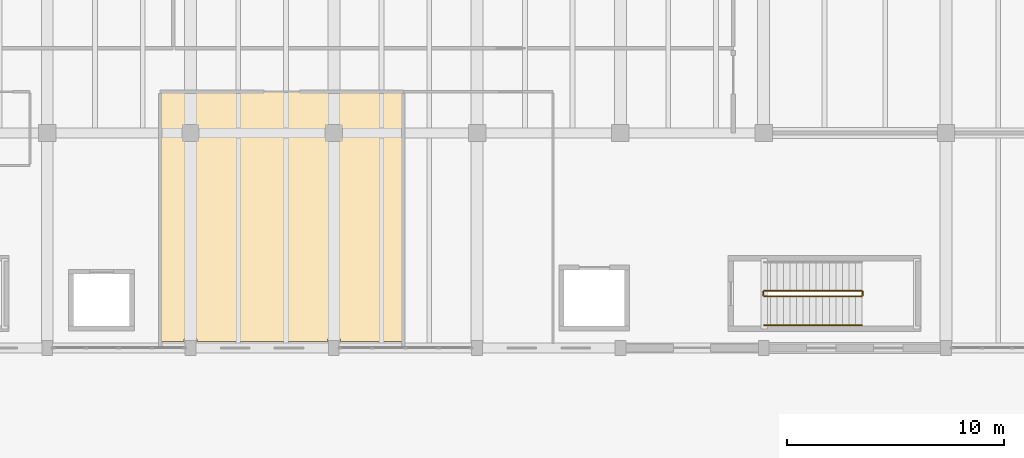
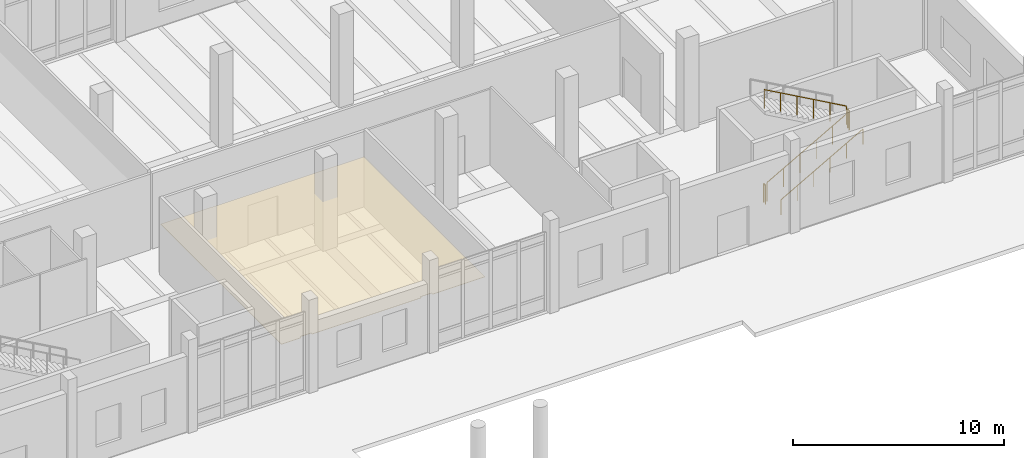
# One storey, part 70 of 72: 5 railings, 1 covering.
"""IFC4 building model written with IfcOpenShell, lengths in metres."""

import ifcopenshell
import ifcopenshell.guid

model = None  # the IFC model being written
_history = None  # IfcOwnerHistory: only IFC2X3 demands one
_inside = {}  # id of a spatial element -> (the spatial element, [elements in it])
_under = {}  # id of a project, library or spatial element -> (it, [spatial elements below it])
_declared = {}  # id of a project -> (the project, [libraries it declares])
_typed = {}  # id of a type object -> (the type object, [elements of that type])
_made_of = {}  # id of a material, layer set ... -> (it, [elements and type objects made of it])


def new_model(schema):
    """Start an empty IFC model of exactly this schema.

    Asked for "IFC4X3", IfcOpenShell would pick the latest addendum, in which some entities
    have other attributes; the version numbers below select the first issue.
    IFC2X3 requires an IfcOwnerHistory on every rooted entity: one is made here for all.
    """
    global model, _history
    if schema == "IFC4X3":
        model = ifcopenshell.file(schema_version=(4, 3, 0, 0))
    else:
        model = ifcopenshell.file(schema=schema)
    _inside.clear()
    _under.clear()
    _declared.clear()
    _typed.clear()
    _made_of.clear()
    _history = None
    if model.schema == "IFC2X3":
        org = make("IfcOrganization", Name="unknown")
        user = make(
            "IfcPersonAndOrganization",
            ThePerson=make("IfcPerson", FamilyName="unknown"),
            TheOrganization=org,
        )
        app = make(
            "IfcApplication",
            ApplicationDeveloper=org,
            Version="unknown",
            ApplicationFullName="unknown",
            ApplicationIdentifier="unknown",
        )
        _history = make(
            "IfcOwnerHistory",
            OwningUser=user,
            OwningApplication=app,
            ChangeAction="ADDED",
            CreationDate=0,
        )
    return model


def make(cls, **values):
    """One entity of the class cls with the attributes given. An attribute that is None is left unset."""
    return model.create_entity(
        cls, **{name: value for name, value in values.items() if value is not None}
    )


def rooted(cls, **values):
    """An entity with a GlobalId (a new one), such as an element, a storey or a relation."""
    return make(cls, GlobalId=ifcopenshell.guid.new(), OwnerHistory=_history, **values)


def si_unit(unit_type, name, prefix=None):
    """IfcSIUnit, for example si_unit("LENGTHUNIT", "METRE", prefix="MILLI")."""
    return make("IfcSIUnit", UnitType=unit_type, Prefix=prefix, Name=name)


def assignment(units):
    """IfcUnitAssignment: the units of a project."""
    return None if units is None else make("IfcUnitAssignment", Units=units)


def point(xyz):
    """IfcCartesianPoint."""
    return None if xyz is None else make("IfcCartesianPoint", Coordinates=xyz)


def direction(xyz):
    """IfcDirection."""
    return None if xyz is None else make("IfcDirection", DirectionRatios=xyz)


def frame(location, z_axis=None, x_axis=None):
    """IfcAxis2Placement3D, a coordinate frame: its origin and axes. An axis left out is left unset."""
    return make(
        "IfcAxis2Placement3D",
        Location=point(location),
        Axis=direction(z_axis),
        RefDirection=direction(x_axis),
    )


def frame_2d(location, x_axis=None):
    """IfcAxis2Placement2D, a coordinate frame in the plane: its origin and x axis."""
    return make(
        "IfcAxis2Placement2D", Location=point(location), RefDirection=direction(x_axis)
    )


def origin():
    """The frame at (0, 0, 0) with its axes left unset."""
    return frame((0.0, 0.0, 0.0))


def origin_2d():
    """The frame at (0, 0) in the plane with its x axis left unset."""
    return frame_2d((0.0, 0.0))


def place(relative_to, where):
    """IfcLocalPlacement: puts the frame where relative to a parent placement (None: the world)."""
    return make(
        "IfcLocalPlacement", PlacementRelTo=relative_to, RelativePlacement=where
    )


def context(
    kind, dimensions, precision=None, world=None, true_north=None, identifier=None
):
    """IfcGeometricRepresentationContext, for example the 3D "Model" context."""
    return make(
        "IfcGeometricRepresentationContext",
        ContextIdentifier=identifier,
        ContextType=kind,
        CoordinateSpaceDimension=dimensions,
        Precision=precision,
        WorldCoordinateSystem=world,
        TrueNorth=true_north,
    )


def subcontext(parent, identifier, kind, view, scale=None):
    """IfcGeometricRepresentationSubContext, for example "Body" below "Model"."""
    return make(
        "IfcGeometricRepresentationSubContext",
        ContextIdentifier=identifier,
        ContextType=kind,
        ParentContext=parent,
        TargetScale=scale,
        TargetView=view,
    )


def project(units=None, contexts=None):
    """IfcProject with its units and contexts."""
    return rooted(
        "IfcProject",
        Name="project",
        RepresentationContexts=contexts,
        UnitsInContext=assignment(units),
    )


def spatial(cls, under=None, at=None, **own):
    """A site, building, storey or space (cls), placed at a placement, below another one or the project."""
    s = rooted(cls, ObjectPlacement=at, **own)
    if under is not None:
        _under.setdefault(under.id(), (under, []))[1].append(s)
    return s


def polyline(points):
    """IfcPolyline through the points."""
    return make("IfcPolyline", Points=[point(p) for p in points])


def profile(cls, at=None, kind="AREA", **sizes):
    """A parametric profile (cls). Its sizes go by their IFC names, for example OverallWidth=200.0."""
    return make(cls, ProfileType=kind, Position=at, **sizes)


def circle(**sizes):
    """IfcCircleProfileDef."""
    return profile("IfcCircleProfileDef", **sizes)


def outline(outer, holes=None, kind="AREA"):
    """IfcArbitraryClosedProfileDef: a profile drawn as a closed curve; with holes, ...WithVoids."""
    if holes is None:
        return make("IfcArbitraryClosedProfileDef", ProfileType=kind, OuterCurve=outer)
    return make(
        "IfcArbitraryProfileDefWithVoids",
        ProfileType=kind,
        OuterCurve=outer,
        InnerCurves=holes,
    )


def extrude(swept, where, along, depth):
    """IfcExtrudedAreaSolid: the profile swept, set in the frame where, extruded along a direction by depth."""
    return make(
        "IfcExtrudedAreaSolid",
        SweptArea=swept,
        Position=where,
        ExtrudedDirection=direction(along),
        Depth=depth,
    )


def shape(context_of_items, identifier, shape_type, items):
    """IfcShapeRepresentation: the items that make up one representation, for example the "Body"."""
    return make(
        "IfcShapeRepresentation",
        ContextOfItems=context_of_items,
        RepresentationIdentifier=identifier,
        RepresentationType=shape_type,
        Items=items,
    )


def material(Name=None, Category=None):
    """IfcMaterial."""
    return make("IfcMaterial", Name=Name, Category=Category)


def layer(
    of_material, thickness, ventilated=None, Name=None, Category=None, Priority=None
):
    """IfcMaterialLayer: one layer of a wall or slab, of a material (None: an air gap)."""
    return make(
        "IfcMaterialLayer",
        Material=of_material,
        LayerThickness=thickness,
        IsVentilated=ventilated,
        Name=Name,
        Category=Category,
        Priority=Priority,
    )


def layer_set(layers, Name=None):
    """IfcMaterialLayerSet."""
    return make("IfcMaterialLayerSet", MaterialLayers=layers, LayerSetName=Name)


def made_of(thing, what):
    """Note that an element or type object is made of a material, layer set ...; save() writes the relation."""
    if what is not None:
        _made_of.setdefault(what.id(), (what, []))[1].append(thing)
    return thing


def type_object(cls, material=None, **own):
    """A type object (cls), such as IfcWallType, which elements share."""
    return made_of(rooted(cls, **own), material)


def element(
    cls,
    number,
    at=None,
    inside=None,
    cuts=None,
    type_object=None,
    material=None,
    context=None,
    identifier="Body",
    shape_type=None,
    held_by="IfcProductDefinitionShape",
    body=None,
    shapes=None,
    **own,
):
    """One element of the class cls, such as IfcWall. Its Tag is "e" and its number.

    at: its placement. inside: the storey or other place that contains it. cuts: it is an
    opening in that element (IfcRelVoidsElement). A single representation is given by context,
    identifier, shape_type and body (its items); several are given by shapes. held_by: the class
    of the entity that holds the representations. save() writes the other relations.
    """
    e = rooted(cls, Tag="e%d" % number, ObjectPlacement=at, **own)
    if body is not None:
        shapes = [shape(context, identifier, shape_type, body)]
    if shapes is not None:
        e.Representation = make(held_by, Representations=shapes)
    if inside is not None:
        _inside.setdefault(inside.id(), (inside, []))[1].append(e)
    if cuts is not None:
        rooted(
            "IfcRelVoidsElement", RelatingBuildingElement=cuts, RelatedOpeningElement=e
        )
    if type_object is not None:
        _typed.setdefault(type_object.id(), (type_object, []))[1].append(e)
    return made_of(e, material)


def aggregate(whole, parts):
    """IfcRelAggregates: a whole, such as a stair, and the parts it consists of."""
    return rooted("IfcRelAggregates", RelatingObject=whole, RelatedObjects=parts)


def save(model, path):
    """Write the relations noted so far, then the file.

    IfcRelAggregates (storeys below a building ...), IfcRelContainedInSpatialStructure (elements
    in a storey), IfcRelDefinesByType, IfcRelAssociatesMaterial and IfcRelDeclares: one each for
    every whole, place, type object, material and project.
    """
    for whole, parts in _under.values():
        aggregate(whole, parts)
    for where, things in _inside.values():
        rooted(
            "IfcRelContainedInSpatialStructure",
            RelatedElements=things,
            RelatingStructure=where,
        )
    for kind, things in _typed.values():
        rooted("IfcRelDefinesByType", RelatedObjects=things, RelatingType=kind)
    for what, things in _made_of.values():
        rooted("IfcRelAssociatesMaterial", RelatedObjects=things, RelatingMaterial=what)
    for by, libraries in _declared.values():
        rooted("IfcRelDeclares", RelatingContext=by, RelatedDefinitions=libraries)
    model.write(path)


model = new_model("IFC4")

# Units and contexts
model_context = context("Model", 3, precision=1e-05, world=origin(), true_north=direction((0.0, 1.0)))
body_context = subcontext(model_context, "Body", "Model", "MODEL_VIEW")
ifc_project = project(units=[si_unit("LENGTHUNIT", "METRE"), si_unit("AREAUNIT", "SQUARE_METRE"), si_unit("VOLUMEUNIT", "CUBIC_METRE"), si_unit("PLANEANGLEUNIT", "RADIAN"), si_unit("MASSUNIT", "GRAM", prefix="KILO")], contexts=[model_context])

# Site, building, storey
site_placement = place(None, origin())
site = spatial("IfcSite", under=ifc_project, at=site_placement, CompositionType="ELEMENT")
building_placement = place(site_placement, origin())
building = spatial("IfcBuilding", under=site, at=building_placement, Name="Dornvale Research Institute", CompositionType="ELEMENT")
storey_placement = place(building_placement, origin())
storey = spatial("IfcBuildingStorey", under=building, at=storey_placement, Name="L00", CompositionType="ELEMENT", Elevation=0.0)

# Covering
ifc_material_1 = material(Name="Mineral-Fibre Acoustic Lay-In Ceiling Tile System")
ifc_layer_1 = layer(ifc_material_1, 0.02001953125)
ifc_layer_set_1 = layer_set([ifc_layer_1], Name="Mineral-Fibre Acoustic Lay-In Ceiling Tile System")
covering_type = type_object("IfcCoveringType", Name="Covering_Acoustic_Ceiling", PredefinedType="CEILING", material=ifc_layer_set_1)
covering_placement = place(storey_placement, frame((0.0, 0.0, 2.85009765625)))
element("IfcCovering", 1, at=covering_placement, inside=storey, type_object=covering_type, Name="L00 Laboratory Instrument Support Room L00 suspended ceiling", PredefinedType="CEILING", context=body_context, shape_type="SweptSolid", body=[
    extrude(outline(polyline([(137.219970703125, 92.699951171875), (137.219970703125, 104.179931640625), (148.3798828125, 104.179931640625), (148.3798828125, 92.699951171875), (145.5, 92.699951171875), (145.5, 92.800048828125), (144.89990234375, 92.800048828125), (144.89990234375, 92.699951171875), (138.89990234375, 92.699951171875), (138.89990234375, 92.800048828125), (138.300048828125, 92.800048828125), (138.300048828125, 92.699951171875), (137.219970703125, 92.699951171875)])), origin(), (0.0, 0.0, 1.0), 0.02001953125),
])

# Railings
ifc_material_2 = material(Name="Galvanized Painted Tubular Steel Stair Rail", Category="steel")
ifc_layer_2 = layer(ifc_material_2, 0.050048828125)
ifc_layer_set_2 = layer_set([ifc_layer_2], Name="Galvanized Painted Tubular Steel Stair Rail")
railing_type_1 = type_object("IfcRailingType", Name="Railing_Stair_Guard_1100", PredefinedType="GUARDRAIL", material=ifc_layer_set_2)
railing_1_placement = place(storey_placement, frame((165.02001953125, 94.77001953125, 0.168701171875)))
element("IfcRailing", 2, at=railing_1_placement, inside=storey, type_object=railing_type_1, Name="L00 ST-4 stair guard 1", PredefinedType="GUARDRAIL", context=body_context, shape_type="SweptSolid", body=[
    extrude(circle(Radius=0.02392578125, at=origin_2d()), frame((0.0, 0.0, 1.076171875), z_axis=(0.871575537125, 0.0, 0.490261239633), x_axis=(0.0, 1.0, 0.0)), (0.0, 0.0, 1.0), 5.1630859375),
    extrude(circle(Radius=0.02099609375, at=origin_2d()), origin(), (0.0, 0.0, 1.0), 1.052001953125),
    extrude(circle(Radius=0.02099609375, at=origin_2d()), frame((0.89990234375, 0.0, 0.50634765625)), (0.0, 0.0, 1.0), 1.052001953125),
    extrude(circle(Radius=0.02099609375, at=origin_2d()), frame((1.800048828125, 0.0, 1.012451171875)), (0.0, 0.0, 1.0), 1.052001953125),
    extrude(circle(Radius=0.02099609375, at=origin_2d()), frame((2.699951171875, 0.0, 1.518798828125)), (0.0, 0.0, 1.0), 1.052001953125),
    extrude(circle(Radius=0.02099609375, at=origin_2d()), frame((3.60009765625, 0.0, 2.02490234375)), (0.0, 0.0, 1.0), 1.052001953125),
    extrude(circle(Radius=0.02099609375, at=origin_2d()), frame((4.5, 0.0, 2.53125)), (0.0, 0.0, 1.0), 1.052001953125),
])
railing_2_placement = place(storey_placement, frame((169.570068359375, 94.820068359375, 2.699951171875)))
element("IfcRailing", 3, at=railing_2_placement, inside=storey, type_object=railing_type_1, Name="L00 ST-4 stair guard 2", PredefinedType="GUARDRAIL", context=body_context, shape_type="SweptSolid", body=[
    extrude(circle(Radius=0.02392578125, at=origin_2d()), frame((0.0, 0.0, 1.076171875), z_axis=(0.0, 1.0, 0.0), x_axis=(-1.0, 0.0, 0.0)), (0.0, 0.0, 1.0), 0.159912109375),
    extrude(circle(Radius=0.02099609375, at=origin_2d()), origin(), (0.0, 0.0, 1.0), 1.052001953125),
    extrude(circle(Radius=0.02099609375, at=origin_2d()), frame((0.0, 0.159912109375, 0.0)), (0.0, 0.0, 1.0), 1.052001953125),
])
railing_3_placement = place(storey_placement, frame((169.52001953125, 95.030029296875, 2.86865234375)))
element("IfcRailing", 4, at=railing_3_placement, inside=storey, type_object=railing_type_1, Name="L00 ST-4 stair guard 3", PredefinedType="GUARDRAIL", context=body_context, shape_type="SweptSolid", body=[
    extrude(circle(Radius=0.02392578125, at=origin_2d()), frame((0.0, 0.0, 1.076171875), z_axis=(-0.871575537125, 0.0, 0.490261239633), x_axis=(0.0, -1.0, 0.0)), (0.0, 0.0, 1.0), 5.1630859375),
    extrude(circle(Radius=0.02099609375, at=origin_2d()), origin(), (0.0, 0.0, 1.0), 1.052001953125),
    extrude(circle(Radius=0.02099609375, at=origin_2d()), frame((-0.89990234375, 0.0, 0.50634765625)), (0.0, 0.0, 1.0), 1.052001953125),
    extrude(circle(Radius=0.02099609375, at=origin_2d()), frame((-1.800048828125, 0.0, 1.012451171875)), (0.0, 0.0, 1.0), 1.052001953125),
    extrude(circle(Radius=0.02099609375, at=origin_2d()), frame((-2.699951171875, 0.0, 1.518798828125)), (0.0, 0.0, 1.0), 1.052001953125),
    extrude(circle(Radius=0.02099609375, at=origin_2d()), frame((-3.60009765625, 0.0, 2.02490234375)), (0.0, 0.0, 1.0), 1.052001953125),
    extrude(circle(Radius=0.02099609375, at=origin_2d()), frame((-4.5, 0.0, 2.53125)), (0.0, 0.0, 1.0), 1.052001953125),
])
railing_4_placement = place(storey_placement, frame((164.969970703125, 94.820068359375, 0.0)))
element("IfcRailing", 5, at=railing_4_placement, inside=storey, type_object=railing_type_1, Name="L00 ST-4 stair guard 4", PredefinedType="GUARDRAIL", context=body_context, shape_type="SweptSolid", body=[
    extrude(circle(Radius=0.02392578125, at=origin_2d()), frame((0.0, 0.0, 1.076171875), z_axis=(0.0, 1.0, 0.0), x_axis=(-1.0, 0.0, 0.0)), (0.0, 0.0, 1.0), 0.159912109375),
    extrude(circle(Radius=0.02099609375, at=origin_2d()), origin(), (0.0, 0.0, 1.0), 1.052001953125),
    extrude(circle(Radius=0.02099609375, at=origin_2d()), frame((0.0, 0.159912109375, 0.0)), (0.0, 0.0, 1.0), 1.052001953125),
])
ifc_material_3 = material(Name="Galvanized Painted Tubular Steel Stair Rail", Category="steel")
ifc_layer_3 = layer(ifc_material_3, 0.044921875)
ifc_layer_set_3 = layer_set([ifc_layer_3], Name="Galvanized Painted Tubular Steel Stair Rail")
railing_type_2 = type_object("IfcRailingType", Name="Railing_Stair_Handrail_900", PredefinedType="HANDRAIL", material=ifc_layer_set_3)
railing_5_placement = place(storey_placement, frame((165.02001953125, 93.449951171875, 0.168701171875)))
element("IfcRailing", 6, at=railing_5_placement, inside=storey, type_object=railing_type_2, Name="L00 ST-4 stair handrail 1", PredefinedType="HANDRAIL", context=body_context, shape_type="SweptSolid", body=[
    extrude(circle(Radius=0.02392578125, at=origin_2d()), frame((0.0, 0.0, 0.8759765625), z_axis=(0.871575537125, 0.0, 0.490261239633), x_axis=(0.0, 1.0, 0.0)), (0.0, 0.0, 1.0), 5.1630859375),
    extrude(circle(Radius=0.02099609375, at=origin_2d()), origin(), (0.0, 0.0, 1.0), 0.851806640625),
    extrude(circle(Radius=0.02099609375, at=origin_2d()), frame((0.89990234375, 0.0, 0.50634765625)), (0.0, 0.0, 1.0), 0.851806640625),
    extrude(circle(Radius=0.02099609375, at=origin_2d()), frame((1.800048828125, 0.0, 1.012451171875)), (0.0, 0.0, 1.0), 0.851806640625),
    extrude(circle(Radius=0.02099609375, at=origin_2d()), frame((2.699951171875, 0.0, 1.518798828125)), (0.0, 0.0, 1.0), 0.851806640625),
    extrude(circle(Radius=0.02099609375, at=origin_2d()), frame((3.60009765625, 0.0, 2.02490234375)), (0.0, 0.0, 1.0), 0.851806640625),
    extrude(circle(Radius=0.02099609375, at=origin_2d()), frame((4.5, 0.0, 2.53125)), (0.0, 0.0, 1.0), 0.851806640625),
])

save(model, "model.ifc")
